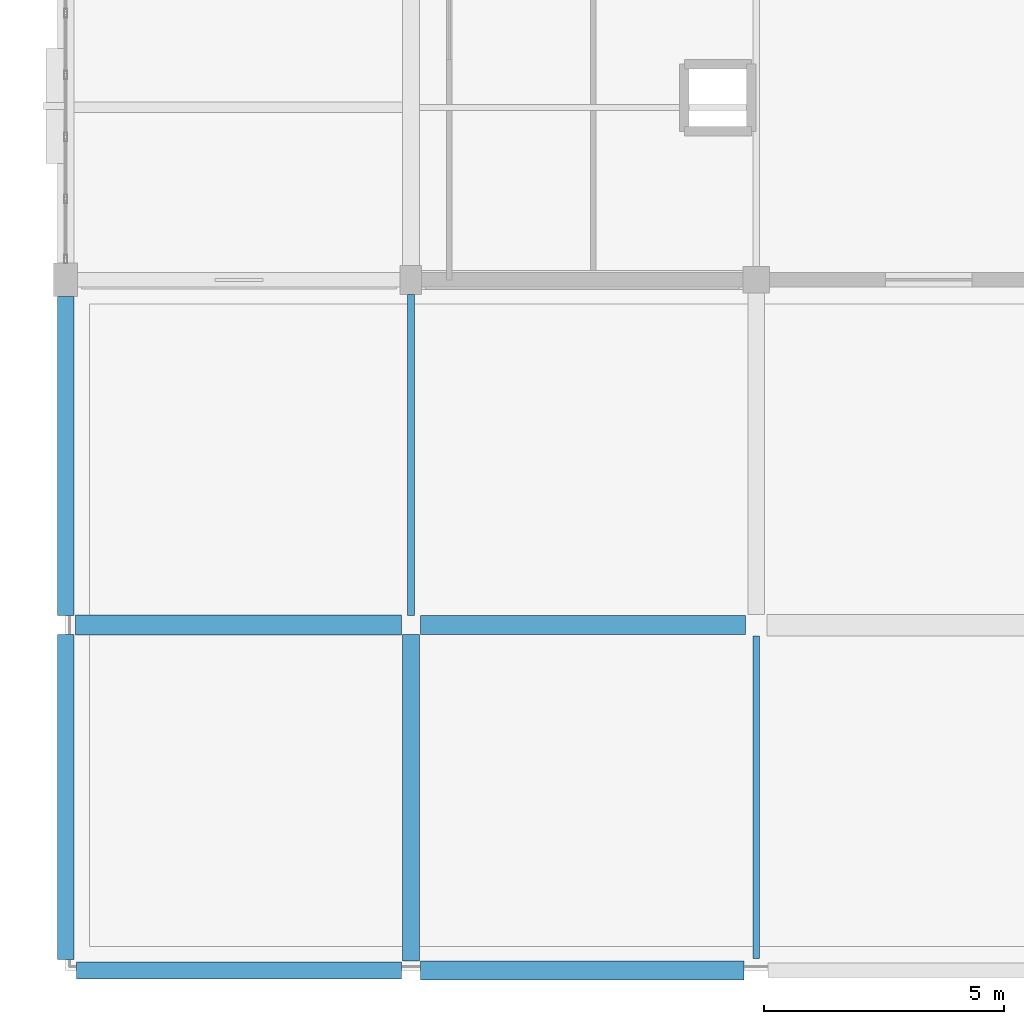
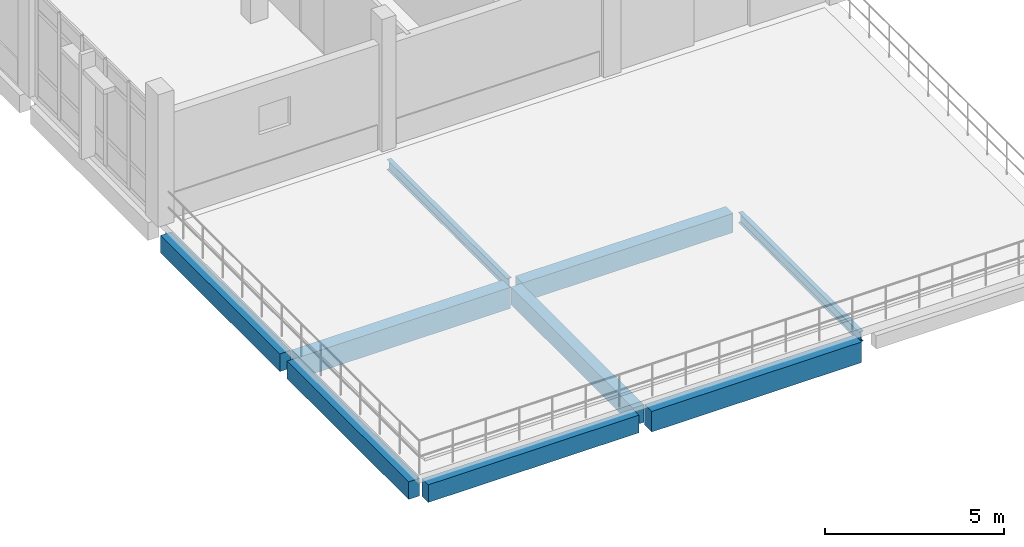
# One storey, part 2 of 57: 9 beams.
"""IFC4 building model written with IfcOpenShell, lengths in metres."""

from ifc_helpers import new_model, si_unit, direction, frame, origin, origin_2d, place, context, subcontext, project, spatial, rectangle, i_section, extrude, material, material_profile, profile_set, type_object, element, save


model = new_model("IFC4")

# Units and contexts
model_context = context("Model", 3, precision=1e-05, world=origin(), true_north=direction((0.0, 1.0)))
body_context = subcontext(model_context, "Body", "Model", "MODEL_VIEW")
ifc_project = project(units=[si_unit("LENGTHUNIT", "METRE"), si_unit("AREAUNIT", "SQUARE_METRE"), si_unit("VOLUMEUNIT", "CUBIC_METRE"), si_unit("PLANEANGLEUNIT", "RADIAN"), si_unit("MASSUNIT", "GRAM", prefix="KILO")], contexts=[model_context])

# Site, building, storey
site_placement = place(None, origin())
site = spatial("IfcSite", under=ifc_project, at=site_placement, CompositionType="ELEMENT")
building_placement = place(site_placement, origin())
building = spatial("IfcBuilding", under=site, at=building_placement, Name="Kalluvel Institute of Natural Sciences", CompositionType="ELEMENT")
storey_placement = place(building_placement, frame((0.0, 0.0, 23.39990234375)))
storey = spatial("IfcBuildingStorey", under=building, at=storey_placement, Name="L05", CompositionType="ELEMENT", Elevation=23.39990234375)

# Beams
ifc_material_1 = material(Name="Steel E350 Grade 350", Category="steel")
ifc_material_profile_1 = material_profile(ifc_material_1, i_section(OverallWidth=0.139892578125, OverallDepth=0.35009765625, WebThickness=0.008056640625, FlangeThickness=0.01416015625, FilletRadius=0.013916015625, at=origin_2d()), Name="ISMB 350")
ifc_profile_set_1 = profile_set([ifc_material_profile_1], Name="Steel E350 Grade 350")
beam_type_1 = type_object("IfcBeamType", Name="BM-ISMB350", PredefinedType="BEAM", material=ifc_profile_set_1)
beam_1_placement = place(storey_placement, frame((21.199951171875, 21.39990234375, -0.474853515625), z_axis=(0.0, 1.0, 0.0), x_axis=(-1.0, 0.0, 0.0)))
element("IfcBeam", 1, at=beam_1_placement, inside=storey, type_object=beam_type_1, Name="L05 girder GIR-L05-NS-X212-Y212", PredefinedType="BEAM", context=body_context, shape_type="SweptSolid", body=[
    extrude(i_section(OverallWidth=0.139892578125, OverallDepth=0.35009765625, WebThickness=0.008056640625, FlangeThickness=0.01416015625, FilletRadius=0.013916015625, at=origin_2d()), origin(), (0.0, 0.0, 1.0), 6.7001953125),
])
beam_2_placement = place(storey_placement, frame((28.39990234375, 14.25, -0.474853515625), z_axis=(0.0, 1.0, 0.0), x_axis=(-1.0, 0.0, 0.0)))
element("IfcBeam", 2, at=beam_2_placement, inside=storey, type_object=beam_type_1, Name="L05 girder GIR-L05-NS-X284-Y140", PredefinedType="BEAM", context=body_context, shape_type="SweptSolid", body=[
    extrude(i_section(OverallWidth=0.139892578125, OverallDepth=0.35009765625, WebThickness=0.008056640625, FlangeThickness=0.01416015625, FilletRadius=0.013916015625, at=origin_2d()), origin(), (0.0, 0.0, 1.0), 6.72509765625),
])
ifc_material_2 = material(Name="Concrete M40", Category="concrete")
ifc_material_profile_2 = material_profile(ifc_material_2, rectangle(XDim=0.35009765625, YDim=0.60009765625, at=origin_2d()), Name="RCB 350x600")
ifc_profile_set_2 = profile_set([ifc_material_profile_2], Name="Concrete M40")
beam_type_2 = type_object("IfcBeamType", Name="BM-RC350x600", PredefinedType="BEAM", material=ifc_profile_set_2)
beam_3_placement = place(storey_placement, frame((21.199951171875, 14.199951171875, -0.599853515625), z_axis=(0.0, 1.0, 0.0), x_axis=(-1.0, 0.0, 0.0)))
element("IfcBeam", 3, at=beam_3_placement, inside=storey, type_object=beam_type_2, Name="L05 girder GIR-L05-NS-X212-Y140", PredefinedType="BEAM", context=body_context, shape_type="SweptSolid", body=[
    extrude(rectangle(XDim=0.35009765625, YDim=0.60009765625, at=origin_2d()), origin(), (0.0, 0.0, 1.0), 6.800048828125),
])
ifc_material_profile_3 = material_profile(ifc_material_2, rectangle(XDim=0.39990234375, YDim=0.64990234375, at=origin_2d()), Name="RCB 400x650")
ifc_profile_set_3 = profile_set([ifc_material_profile_3], Name="Concrete M40")
beam_type_3 = type_object("IfcBeamType", Name="BM-RC400x650", PredefinedType="BEAM", material=ifc_profile_set_3)
beam_4_placement = place(storey_placement, frame((21.39990234375, 21.199951171875, -0.625), z_axis=(1.0, 0.0, 0.0), x_axis=(0.0, 1.0, 0.0)))
element("IfcBeam", 4, at=beam_4_placement, inside=storey, type_object=beam_type_3, Name="L05 girder GIR-L05-EW-X212-Y212", PredefinedType="BEAM", context=body_context, shape_type="SweptSolid", body=[
    extrude(rectangle(XDim=0.39990234375, YDim=0.64990234375, at=origin_2d()), origin(), (0.0, 0.0, 1.0), 6.775146484375),
])
ifc_material_profile_4 = material_profile(ifc_material_2, rectangle(XDim=0.419921875, YDim=0.719970703125, at=origin_2d()), Name="RCB 420x720")
ifc_profile_set_4 = profile_set([ifc_material_profile_4], Name="Concrete M40")
beam_type_4 = type_object("IfcBeamType", Name="BM-RC420x720", PredefinedType="BEAM", material=ifc_profile_set_4)
beam_5_placement = place(storey_placement, frame((14.199951171875, 21.199951171875, -0.659912109375), z_axis=(1.0, 0.0, 0.0), x_axis=(0.0, 1.0, 0.0)))
element("IfcBeam", 5, at=beam_5_placement, inside=storey, type_object=beam_type_4, Name="L05 girder GIR-L05-EW-X140-Y212", PredefinedType="BEAM", context=body_context, shape_type="SweptSolid", body=[
    extrude(rectangle(XDim=0.419921875, YDim=0.719970703125, at=origin_2d()), origin(), (0.0, 0.0, 1.0), 6.800048828125),
])
ifc_material_profile_5 = material_profile(ifc_material_2, rectangle(XDim=0.35009765625, YDim=0.60009765625, at=origin_2d()), Name="RCB 350x600")
ifc_profile_set_5 = profile_set([ifc_material_profile_5], Name="Concrete M40")
beam_type_5 = type_object("IfcBeamType", Name="SP-RC350x600", PredefinedType="SPANDREL", material=ifc_profile_set_5)
for number, where, z_axis, x_axis, name in (
    (6, (14.22509765625, 14.0, -0.599853515625), (1.0, 0.0, 0.0), (0.0, 1.0, 0.0), "L05 girder GIR-L05-EW-X140-Y140"),
    (7, (14.0, 14.22509765625, -0.599853515625), (0.0, 1.0, 0.0), (-1.0, 0.0, 0.0), "L05 girder GIR-L05-NS-X140-Y140"),
):
    element("IfcBeam", number, at=place(storey_placement, frame(where, z_axis=z_axis, x_axis=x_axis)), inside=storey, type_object=beam_type_5, Name=name, PredefinedType="SPANDREL", context=body_context, shape_type="SweptSolid", body=[
        extrude(rectangle(XDim=0.35009765625, YDim=0.60009765625, at=origin_2d()), origin(), (0.0, 0.0, 1.0), 6.77490234375),
    ])
beam_6_placement = place(storey_placement, frame((14.0, 21.39990234375, -0.599853515625), z_axis=(0.0, 1.0, 0.0), x_axis=(-1.0, 0.0, 0.0)))
element("IfcBeam", 8, at=beam_6_placement, inside=storey, type_object=beam_type_5, Name="L05 girder GIR-L05-NS-X140-Y212", PredefinedType="SPANDREL", context=body_context, shape_type="SweptSolid", body=[
    extrude(rectangle(XDim=0.35009765625, YDim=0.60009765625, at=origin_2d()), origin(), (0.0, 0.0, 1.0), 6.650146484375),
])
ifc_material_profile_6 = material_profile(ifc_material_2, rectangle(XDim=0.39990234375, YDim=0.699951171875, at=origin_2d()), Name="RCB 400x700")
ifc_profile_set_6 = profile_set([ifc_material_profile_6], Name="Concrete M40")
beam_type_6 = type_object("IfcBeamType", Name="SP-RC400x700", PredefinedType="SPANDREL", material=ifc_profile_set_6)
beam_7_placement = place(storey_placement, frame((21.39990234375, 14.0, -0.64990234375), z_axis=(1.0, 0.0, 0.0), x_axis=(0.0, 1.0, 0.0)))
element("IfcBeam", 9, at=beam_7_placement, inside=storey, type_object=beam_type_6, Name="L05 girder GIR-L05-EW-X212-Y140", PredefinedType="SPANDREL", context=body_context, shape_type="SweptSolid", body=[
    extrude(rectangle(XDim=0.39990234375, YDim=0.699951171875, at=origin_2d()), origin(), (0.0, 0.0, 1.0), 6.75),
])

save(model, "model.ifc")
